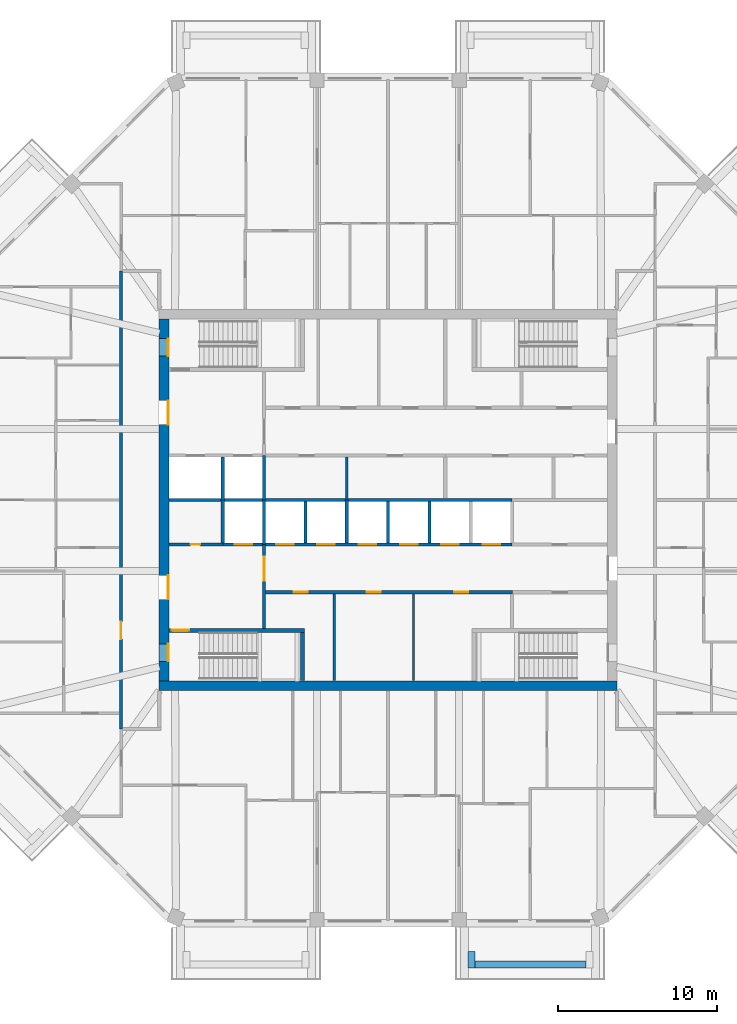
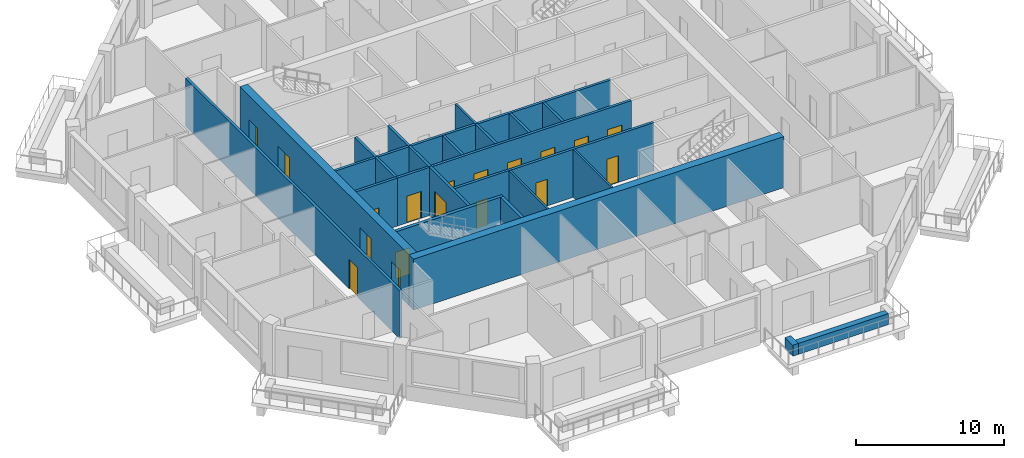
# One storey, part 4 of 12: 23 walls, 18 doors, 18 openings.
"""IFC4 building model written with IfcOpenShell, lengths in metres."""

from ifc_helpers import new_model, si_unit, direction, frame, frame_2d, origin, place, context, subcontext, project, spatial, rectangle, extrude, material, layer, layer_set, type_object, element, fill, save


model = new_model("IFC4")

# Units and contexts
model_context = context("Model", 3, precision=1e-05, world=origin(), true_north=direction((0.0, 1.0)))
body_context = subcontext(model_context, "Body", "Model", "MODEL_VIEW")
ifc_project = project(units=[si_unit("LENGTHUNIT", "METRE"), si_unit("AREAUNIT", "SQUARE_METRE"), si_unit("VOLUMEUNIT", "CUBIC_METRE"), si_unit("PLANEANGLEUNIT", "RADIAN"), si_unit("MASSUNIT", "GRAM", prefix="KILO")], contexts=[model_context])

# Site, building, storey
site_placement = place(None, origin())
site = spatial("IfcSite", under=ifc_project, at=site_placement, CompositionType="ELEMENT")
building_placement = place(site_placement, origin())
building = spatial("IfcBuilding", under=site, at=building_placement, Name="Msitu Wima Residences", CompositionType="ELEMENT")
storey_placement = place(building_placement, frame((0.0, 0.0, 251.699951171875)))
storey = spatial("IfcBuildingStorey", under=building, at=storey_placement, Name="L58", CompositionType="ELEMENT", Elevation=251.699951171875)

# Walls
ifc_material_1 = material(Name="Facing brick")
ifc_layer_1 = layer(ifc_material_1, 0.06494140625, Name="Facing brick")
ifc_material_2 = material(Name="Concrete C40/50", Category="concrete")
ifc_layer_2 = layer(ifc_material_2, 0.156005859375, Name="Concrete C40/50")
ifc_material_3 = material(Name="Waterproofing membrane")
ifc_layer_3 = layer(ifc_material_3, 0.00390625, Name="Waterproofing membrane")
ifc_material_4 = material(Name="Planting soil and planting")
ifc_layer_4 = layer(ifc_material_4, 0.22509765625, Name="Planting soil and planting")
ifc_layer_set_1 = layer_set([ifc_layer_1, ifc_layer_2, ifc_layer_3, ifc_layer_4], Name="Concrete C40/50")
wall_type_1 = type_object("IfcWallType", Name="Balcony planter PLANTER PL450", PredefinedType="USERDEFINED", material=ifc_layer_set_1)
wall_1_placement = place(storey_placement, frame((5.468505859375, -29.22509765625, 0.0), z_axis=(0.0, 0.0, 1.0), x_axis=(1.0, 0.0, 0.0)))
element("IfcWall", 1, at=wall_1_placement, inside=storey, type_object=wall_type_1, Name="Balcony planter S2 L58", ObjectType="PLANTER", PredefinedType="USERDEFINED", context=body_context, shape_type="SweptSolid", body=[
    extrude(rectangle(XDim=6.9873046875, YDim=0.449951171875, at=frame_2d((3.49365234375, 0.0))), origin(), (0.0, 0.0, 1.0), 0.900146484375),
])
wall_2_placement = place(storey_placement, frame((5.24365234375, -28.39990234375, 0.0), z_axis=(0.0, 0.0, 1.0), x_axis=(0.0, -1.0, 0.0)))
element("IfcWall", 2, at=wall_2_placement, inside=storey, type_object=wall_type_1, Name="Balcony planter S2 L58", ObjectType="PLANTER", PredefinedType="USERDEFINED", context=body_context, shape_type="SweptSolid", body=[
    extrude(rectangle(XDim=1.050048828125, YDim=0.449951171875, at=frame_2d((0.52490234375, 0.0))), origin(), (0.0, 0.0, 1.0), 0.900146484375),
])
ifc_material_5 = material(Name="Concrete C50/60", Category="concrete")
ifc_layer_5 = layer(ifc_material_5, 0.60009765625)
ifc_layer_set_2 = layer_set([ifc_layer_5], Name="Concrete C50/60")
wall_type_2 = type_object("IfcWallType", Name="Core wall CW600 C50/60", PredefinedType="SHEAR", material=ifc_layer_set_2)
wall_3_placement = place(storey_placement, frame((-14.39990234375, -11.699951171875, 0.0), z_axis=(0.0, 0.0, 1.0), x_axis=(1.0, 0.0, 0.0)))
element("IfcWall", 3, at=wall_3_placement, inside=storey, type_object=wall_type_2, Name="Core wall", PredefinedType="SHEAR", context=body_context, shape_type="SweptSolid", body=[
    extrude(rectangle(XDim=28.7998046875, YDim=0.60009765625, at=frame_2d((14.39990234375, 0.0))), origin(), (0.0, 0.0, 1.0), 4.199951171875),
])

# Wall, openings, doors
wall_4_placement = place(storey_placement, frame((-14.10009765625, -11.39990234375, 0.0), z_axis=(0.0, 0.0, 1.0), x_axis=(0.0, 1.0, 0.0)))
wall_4 = element("IfcWall", 4, at=wall_4_placement, inside=storey, type_object=wall_type_2, Name="Core wall", PredefinedType="SHEAR", context=body_context, shape_type="SweptSolid", body=[
    extrude(rectangle(XDim=22.7998046875, YDim=0.60009765625, at=frame_2d((11.39990234375, 0.0))), origin(), (0.0, 0.0, 1.0), 4.199951171875),
])
opening_1_placement = place(wall_4_placement, frame((20.449951171875, 0.0, 0.0)))
opening_1 = element("IfcOpeningElement", 5, at=opening_1_placement, cuts=wall_4, Name="Opening D57-59.084", PredefinedType="OPENING", context=body_context, shape_type="SweptSolid", body=[
    extrude(rectangle(XDim=1.10009765625, YDim=2.199951171875, at=frame_2d((0.550048828125, 1.10009765625))), frame((0.0, 0.31005859375, 0.0), z_axis=(0.0, -1.0, 0.0), x_axis=(1.0, 0.0, 0.0)), (0.0, 0.0, 1.0), 0.6201171875),
])
opening_2_placement = place(wall_4_placement, frame((1.25, 0.0, 0.0)))
opening_2 = element("IfcOpeningElement", 6, at=opening_2_placement, cuts=wall_4, Name="Opening D57-59.086", PredefinedType="OPENING", context=body_context, shape_type="SweptSolid", body=[
    extrude(rectangle(XDim=1.10009765625, YDim=2.199951171875, at=frame_2d((0.550048828125, 1.10009765625))), frame((0.0, 0.31005859375, 0.0), z_axis=(0.0, -1.0, 0.0), x_axis=(1.0, 0.0, 0.0)), (0.0, 0.0, 1.0), 0.6201171875),
])
opening_3_placement = place(wall_4_placement, frame((16.14990234375, 0.0, 0.0)))
opening_3 = element("IfcOpeningElement", 7, at=opening_3_placement, cuts=wall_4, Name="Opening D57-59.064", PredefinedType="OPENING", context=body_context, shape_type="SweptSolid", body=[
    extrude(rectangle(XDim=1.5, YDim=2.39990234375, at=frame_2d((0.75, 1.199951171875))), frame((0.0, 0.31005859375, 0.0), z_axis=(0.0, -1.0, 0.0), x_axis=(1.0, 0.0, 0.0)), (0.0, 0.0, 1.0), 0.6201171875),
])
opening_4_placement = place(wall_4_placement, frame((5.14990234375, 0.0, 0.0)))
opening_4 = element("IfcOpeningElement", 8, at=opening_4_placement, cuts=wall_4, Name="Opening D57-59.066", PredefinedType="OPENING", context=body_context, shape_type="SweptSolid", body=[
    extrude(rectangle(XDim=1.5, YDim=2.39990234375, at=frame_2d((0.75, 1.199951171875))), frame((0.0, 0.31005859375, 0.0), z_axis=(0.0, -1.0, 0.0), x_axis=(1.0, 0.0, 0.0)), (0.0, 0.0, 1.0), 0.6201171875),
])
ifc_material_6 = material(Name="Steel framed glazed door, fire resisting", Category="steel")
door_type_1 = type_object("IfcDoorType", Name="Lobby door D07 1500x2400", OperationType="DOUBLE_DOOR_SINGLE_SWING", PredefinedType="DOOR", material=ifc_material_6)
door_1_placement = place(opening_3_placement, origin())
door_1 = element("IfcDoor", 9, at=door_1_placement, inside=storey, type_object=door_type_1, Name="Lobby door", OperationType="DOUBLE_DOOR_SINGLE_SWING", OverallHeight=2.39990234375, OverallWidth=1.5, PredefinedType="DOOR", context=body_context, shape_type="SweptSolid", body=[
    extrude(rectangle(XDim=1.5, YDim=2.39990234375, at=frame_2d((0.75, 1.199951171875))), frame((0.0, -0.2451171875, 0.0), z_axis=(0.0, -1.0, 0.0), x_axis=(1.0, 0.0, 0.0)), (0.0, 0.0, 1.0), 0.050048828125),
])
fill(opening_3, door_1)
door_2_placement = place(opening_4_placement, origin())
door_2 = element("IfcDoor", 10, at=door_2_placement, inside=storey, type_object=door_type_1, Name="Lobby door", OperationType="DOUBLE_DOOR_SINGLE_SWING", OverallHeight=2.39990234375, OverallWidth=1.5, PredefinedType="DOOR", context=body_context, shape_type="SweptSolid", body=[
    extrude(rectangle(XDim=1.5, YDim=2.39990234375, at=frame_2d((0.75, 1.199951171875))), frame((0.0, -0.2451171875, 0.0), z_axis=(0.0, -1.0, 0.0), x_axis=(1.0, 0.0, 0.0)), (0.0, 0.0, 1.0), 0.050048828125),
])
fill(opening_4, door_2)
ifc_material_7 = material(Name="Steel door, fire resisting, panic bar", Category="steel")
door_type_2 = type_object("IfcDoorType", Name="Stair door D06 1100x2200", OperationType="SINGLE_SWING_LEFT", PredefinedType="DOOR", material=ifc_material_7)
door_3_placement = place(opening_1_placement, origin())
door_3 = element("IfcDoor", 11, at=door_3_placement, inside=storey, type_object=door_type_2, Name="Stair door", OperationType="SINGLE_SWING_RIGHT", OverallHeight=2.199951171875, OverallWidth=1.10009765625, PredefinedType="DOOR", context=body_context, shape_type="SweptSolid", body=[
    extrude(rectangle(XDim=1.10009765625, YDim=2.199951171875, at=frame_2d((0.550048828125, 1.10009765625))), frame((0.0, -0.2451171875, 0.0), z_axis=(0.0, -1.0, 0.0), x_axis=(1.0, 0.0, 0.0)), (0.0, 0.0, 1.0), 0.050048828125),
])
fill(opening_1, door_3)
door_4_placement = place(opening_2_placement, origin())
door_4 = element("IfcDoor", 12, at=door_4_placement, inside=storey, type_object=door_type_2, Name="Stair door", OperationType="SINGLE_SWING_LEFT", OverallHeight=2.199951171875, OverallWidth=1.10009765625, PredefinedType="DOOR", context=body_context, shape_type="SweptSolid", body=[
    extrude(rectangle(XDim=1.10009765625, YDim=2.199951171875, at=frame_2d((0.550048828125, 1.10009765625))), frame((0.0, -0.2451171875, 0.0), z_axis=(0.0, -1.0, 0.0), x_axis=(1.0, 0.0, 0.0)), (0.0, 0.0, 1.0), 0.050048828125),
])
fill(opening_2, door_4)

# Wall, opening, door
ifc_material_8 = material(Name="Plaster")
ifc_layer_6 = layer(ifc_material_8, 0.011962890625, Name="Plaster")
ifc_material_9 = material(Name="Concrete blockwork", Category="masonry")
ifc_layer_7 = layer(ifc_material_9, 0.176025390625, Name="Concrete blockwork")
ifc_layer_8 = layer(ifc_material_8, 0.011962890625, Name="Plaster")
ifc_layer_set_3 = layer_set([ifc_layer_6, ifc_layer_7, ifc_layer_8], Name="Concrete blockwork")
wall_type_3 = type_object("IfcWallType", Name="Corridor wall FW200", PredefinedType="PARTITIONING", material=ifc_layer_set_3)
wall_5_placement = place(storey_placement, frame((-16.800048828125, -14.39990234375, 0.0), z_axis=(0.0, 0.0, 1.0), x_axis=(0.0, 1.0, 0.0)))
wall_5 = element("IfcWall", 13, at=wall_5_placement, inside=storey, type_object=wall_type_3, Name="Corridor wall", PredefinedType="PARTITIONING", context=body_context, shape_type="SweptSolid", body=[
    extrude(rectangle(XDim=28.7998046875, YDim=0.199951171875, at=frame_2d((14.39990234375, 0.0))), origin(), (0.0, 0.0, 1.0), 3.949951171875),
])
opening_5_placement = place(wall_5_placement, frame((5.64990234375, 0.0, 0.0)))
opening_5 = element("IfcOpeningElement", 14, at=opening_5_placement, cuts=wall_5, Name="Opening D57-59.024", PredefinedType="OPENING", context=body_context, shape_type="SweptSolid", body=[
    extrude(rectangle(XDim=1.10009765625, YDim=2.39990234375, at=frame_2d((0.550048828125, 1.199951171875))), frame((0.0, 0.10986328125, 0.0), z_axis=(0.0, -1.0, 0.0), x_axis=(1.0, 0.0, 0.0)), (0.0, 0.0, 1.0), 0.219970703125),
])
ifc_material_10 = material(Name="Timber flush door, fire resisting, self-closing", Category="wood")
door_type_3 = type_object("IfcDoorType", Name="Flat entrance door D01 1100x2400", OperationType="SINGLE_SWING_LEFT", PredefinedType="DOOR", material=ifc_material_10)
door_5_placement = place(opening_5_placement, origin())
door_5 = element("IfcDoor", 15, at=door_5_placement, inside=storey, type_object=door_type_3, Name="Flat entrance door", OperationType="SINGLE_SWING_LEFT", OverallHeight=2.39990234375, OverallWidth=1.10009765625, PredefinedType="DOOR", context=body_context, shape_type="SweptSolid", body=[
    extrude(rectangle(XDim=1.10009765625, YDim=2.39990234375, at=frame_2d((0.550048828125, 1.199951171875))), frame((0.0, 0.02490234375, 0.0), z_axis=(0.0, -1.0, 0.0), x_axis=(1.0, 0.0, 0.0)), (0.0, 0.0, 1.0), 0.050048828125),
])
fill(opening_5, door_5)

wall_6_placement = place(storey_placement, frame((-7.800048828125, -8.074951171875, 0.0), z_axis=(0.0, 0.0, 1.0), x_axis=(0.0, 1.0, 0.0)))
wall_6 = element("IfcWall", 16, at=wall_6_placement, inside=storey, type_object=wall_type_3, Name="Corridor wall", PredefinedType="PARTITIONING", context=body_context, shape_type="SweptSolid", body=[
    extrude(rectangle(XDim=5.27490234375, YDim=0.199951171875, at=frame_2d((2.637451171875, 0.0))), origin(), (0.0, 0.0, 1.0), 3.949951171875),
])
opening_6_placement = place(wall_6_placement, frame((3.0, 0.0, 0.0)))
opening_6 = element("IfcOpeningElement", 17, at=opening_6_placement, cuts=wall_6, Name="Opening D57-59.067", PredefinedType="OPENING", context=body_context, shape_type="SweptSolid", body=[
    extrude(rectangle(XDim=1.5, YDim=2.39990234375, at=frame_2d((0.75, 1.199951171875))), frame((0.0, 0.10986328125, 0.0), z_axis=(0.0, -1.0, 0.0), x_axis=(1.0, 0.0, 0.0)), (0.0, 0.0, 1.0), 0.219970703125),
])
door_6_placement = place(opening_6_placement, origin())
door_6 = element("IfcDoor", 18, at=door_6_placement, inside=storey, type_object=door_type_1, Name="Lobby door", OperationType="DOUBLE_DOOR_SINGLE_SWING", OverallHeight=2.39990234375, OverallWidth=1.5, PredefinedType="DOOR", context=body_context, shape_type="SweptSolid", body=[
    extrude(rectangle(XDim=1.5, YDim=2.39990234375, at=frame_2d((0.75, 1.199951171875))), frame((0.0, 0.02490234375, 0.0), z_axis=(0.0, -1.0, 0.0), x_axis=(1.0, 0.0, 0.0)), (0.0, 0.0, 1.0), 0.050048828125),
])
fill(opening_6, door_6)

# Wall, openings, doors
wall_7_placement = place(storey_placement, frame((-7.699951171875, -5.800048828125, 0.0), z_axis=(0.0, 0.0, 1.0), x_axis=(1.0, 0.0, 0.0)))
wall_7 = element("IfcWall", 19, at=wall_7_placement, inside=storey, type_object=wall_type_3, Name="Corridor wall", PredefinedType="PARTITIONING", context=body_context, shape_type="SweptSolid", body=[
    extrude(rectangle(XDim=15.52001953125, YDim=0.199951171875, at=frame_2d((7.760009765625, 0.0))), origin(), (0.0, 0.0, 1.0), 3.949951171875),
])
opening_7_placement = place(wall_7_placement, frame((1.75, 0.0, 0.0)))
opening_7 = element("IfcOpeningElement", 20, at=opening_7_placement, cuts=wall_7, Name="Opening D57-59.073", PredefinedType="OPENING", context=body_context, shape_type="SweptSolid", body=[
    extrude(rectangle(XDim=0.89990234375, YDim=2.199951171875, at=frame_2d((0.449951171875, 1.10009765625))), frame((0.0, 0.10986328125, 0.0), z_axis=(0.0, -1.0, 0.0), x_axis=(1.0, 0.0, 0.0)), (0.0, 0.0, 1.0), 0.219970703125),
])
opening_8_placement = place(wall_7_placement, frame((6.35009765625, 0.0, 0.0)))
opening_8 = element("IfcOpeningElement", 21, at=opening_8_placement, cuts=wall_7, Name="Opening D57-59.074", PredefinedType="OPENING", context=body_context, shape_type="SweptSolid", body=[
    extrude(rectangle(XDim=0.89990234375, YDim=2.199951171875, at=frame_2d((0.449951171875, 1.10009765625))), frame((0.0, 0.10986328125, 0.0), z_axis=(0.0, -1.0, 0.0), x_axis=(1.0, 0.0, 0.0)), (0.0, 0.0, 1.0), 0.219970703125),
])
opening_9_placement = place(wall_7_placement, frame((11.85009765625, 0.0, 0.0)))
opening_9 = element("IfcOpeningElement", 22, at=opening_9_placement, cuts=wall_7, Name="Opening D57-59.075", PredefinedType="OPENING", context=body_context, shape_type="SweptSolid", body=[
    extrude(rectangle(XDim=0.89990234375, YDim=2.199951171875, at=frame_2d((0.449951171875, 1.10009765625))), frame((0.0, 0.10986328125, 0.0), z_axis=(0.0, -1.0, 0.0), x_axis=(1.0, 0.0, 0.0)), (0.0, 0.0, 1.0), 0.219970703125),
])
ifc_material_11 = material(Name="Timber flush door", Category="wood")
door_type_4 = type_object("IfcDoorType", Name="Service door D05 900x2200", OperationType="SINGLE_SWING_LEFT", PredefinedType="DOOR", material=ifc_material_11)
door_7_placement = place(opening_7_placement, origin())
door_7 = element("IfcDoor", 23, at=door_7_placement, inside=storey, type_object=door_type_4, Name="Service door", OperationType="SINGLE_SWING_LEFT", OverallHeight=2.199951171875, OverallWidth=0.89990234375, PredefinedType="DOOR", context=body_context, shape_type="SweptSolid", body=[
    extrude(rectangle(XDim=0.89990234375, YDim=2.199951171875, at=frame_2d((0.449951171875, 1.10009765625))), frame((0.0, 0.02490234375, 0.0), z_axis=(0.0, -1.0, 0.0), x_axis=(1.0, 0.0, 0.0)), (0.0, 0.0, 1.0), 0.050048828125),
])
fill(opening_7, door_7)
door_8_placement = place(opening_8_placement, origin())
door_8 = element("IfcDoor", 24, at=door_8_placement, inside=storey, type_object=door_type_4, Name="Service door", OperationType="SINGLE_SWING_RIGHT", OverallHeight=2.199951171875, OverallWidth=0.89990234375, PredefinedType="DOOR", context=body_context, shape_type="SweptSolid", body=[
    extrude(rectangle(XDim=0.89990234375, YDim=2.199951171875, at=frame_2d((0.449951171875, 1.10009765625))), frame((0.0, 0.02490234375, 0.0), z_axis=(0.0, -1.0, 0.0), x_axis=(1.0, 0.0, 0.0)), (0.0, 0.0, 1.0), 0.050048828125),
])
fill(opening_8, door_8)
door_9_placement = place(opening_9_placement, origin())
door_9 = element("IfcDoor", 25, at=door_9_placement, inside=storey, type_object=door_type_4, Name="Service door", OperationType="SINGLE_SWING_RIGHT", OverallHeight=2.199951171875, OverallWidth=0.89990234375, PredefinedType="DOOR", context=body_context, shape_type="SweptSolid", body=[
    extrude(rectangle(XDim=0.89990234375, YDim=2.199951171875, at=frame_2d((0.449951171875, 1.10009765625))), frame((0.0, 0.02490234375, 0.0), z_axis=(0.0, -1.0, 0.0), x_axis=(1.0, 0.0, 0.0)), (0.0, 0.0, 1.0), 0.050048828125),
])
fill(opening_9, door_9)

# Walls
ifc_layer_9 = layer(ifc_material_8, 0.011962890625, Name="Plaster")
ifc_layer_10 = layer(ifc_material_9, 0.1259765625, Name="Concrete blockwork")
ifc_layer_11 = layer(ifc_material_8, 0.011962890625, Name="Plaster")
ifc_layer_set_4 = layer_set([ifc_layer_9, ifc_layer_10, ifc_layer_11], Name="Concrete blockwork")
wall_type_4 = type_object("IfcWallType", Name="Partition PW150", PredefinedType="PARTITIONING", material=ifc_layer_set_4)
wall_8_placement = place(storey_placement, frame((-3.39990234375, -11.3701171875, 0.0), z_axis=(0.0, 0.0, 1.0), x_axis=(0.0, 1.0, 0.0)))
element("IfcWall", 26, at=wall_8_placement, inside=storey, type_object=wall_type_4, Name="Partition", PredefinedType="PARTITIONING", context=body_context, shape_type="SweptSolid", body=[
    extrude(rectangle(XDim=5.47021484375, YDim=0.14990234375, at=frame_2d((2.735107421875, 0.0))), origin(), (0.0, 0.0, 1.0), 3.949951171875),
])
wall_9_placement = place(storey_placement, frame((-2.60009765625, 0.0, 0.0), z_axis=(0.0, 0.0, 1.0), x_axis=(0.0, 1.0, 0.0)))
element("IfcWall", 27, at=wall_9_placement, inside=storey, type_object=wall_type_4, Name="Partition", PredefinedType="PARTITIONING", context=body_context, shape_type="SweptSolid", body=[
    extrude(rectangle(XDim=2.699951171875, YDim=0.14990234375, at=frame_2d((1.35009765625, 0.0))), origin(), (0.0, 0.0, 1.0), 3.949951171875),
])
wall_10_placement = place(storey_placement, frame((1.60009765625, -11.3701171875, 0.0), z_axis=(0.0, 0.0, 1.0), x_axis=(0.0, 1.0, 0.0)))
element("IfcWall", 28, at=wall_10_placement, inside=storey, type_object=wall_type_4, Name="Partition", PredefinedType="PARTITIONING", context=body_context, shape_type="SweptSolid", body=[
    extrude(rectangle(XDim=5.47021484375, YDim=0.14990234375, at=frame_2d((2.735107421875, 0.0))), origin(), (0.0, 0.0, 1.0), 3.949951171875),
])

# Wall, opening, door
ifc_layer_12 = layer(ifc_material_8, 0.011962890625, Name="Plaster")
ifc_material_12 = material(Name="Reinforced concrete blockwork", Category="masonry")
ifc_layer_13 = layer(ifc_material_12, 0.176025390625, Name="Reinforced concrete blockwork")
ifc_layer_14 = layer(ifc_material_8, 0.011962890625, Name="Plaster")
ifc_layer_set_5 = layer_set([ifc_layer_12, ifc_layer_13, ifc_layer_14], Name="Reinforced concrete blockwork")
wall_type_5 = type_object("IfcWallType", Name="Plant and riser wall PL200", PredefinedType="PARTITIONING", material=ifc_layer_set_5)
wall_11_placement = place(storey_placement, frame((-13.77001953125, -2.800048828125, 0.0), z_axis=(0.0, 0.0, 1.0), x_axis=(1.0, 0.0, 0.0)))
wall_11 = element("IfcWall", 29, at=wall_11_placement, inside=storey, type_object=wall_type_5, Name="Plant and riser wall", PredefinedType="PARTITIONING", context=body_context, shape_type="SweptSolid", body=[
    extrude(rectangle(XDim=3.3701171875, YDim=0.199951171875, at=frame_2d((1.68505859375, 0.0))), origin(), (0.0, 0.0, 1.0), 3.949951171875),
])
opening_10_placement = place(wall_11_placement, frame((1.35009765625, 0.0, 0.0)))
opening_10 = element("IfcOpeningElement", 30, at=opening_10_placement, cuts=wall_11, Name="Opening D57-59.083", PredefinedType="OPENING", context=body_context, shape_type="SweptSolid", body=[
    extrude(rectangle(XDim=0.60009765625, YDim=2.0, at=frame_2d((0.300048828125, 1.0))), frame((0.0, 0.10986328125, 0.0), z_axis=(0.0, -1.0, 0.0), x_axis=(1.0, 0.0, 0.0)), (0.0, 0.0, 1.0), 0.219970703125),
])
ifc_material_13 = material(Name="Steel access door, fire resisting", Category="steel")
door_type_5 = type_object("IfcDoorType", Name="Riser access door D08 600x2000", OperationType="SINGLE_SWING_LEFT", PredefinedType="DOOR", material=ifc_material_13)
door_10_placement = place(opening_10_placement, origin())
door_10 = element("IfcDoor", 31, at=door_10_placement, inside=storey, type_object=door_type_5, Name="Riser access door", OperationType="SINGLE_SWING_RIGHT", OverallHeight=2.0, OverallWidth=0.60009765625, PredefinedType="DOOR", context=body_context, shape_type="SweptSolid", body=[
    extrude(rectangle(XDim=0.60009765625, YDim=2.0, at=frame_2d((0.300048828125, 1.0))), frame((0.0, 0.02490234375, 0.0), z_axis=(0.0, -1.0, 0.0), x_axis=(1.0, 0.0, 0.0)), (0.0, 0.0, 1.0), 0.050048828125),
])
fill(opening_10, door_10)

# Walls
ifc_material_14 = material(Name="Fire-rated board")
ifc_layer_15 = layer(ifc_material_14, 0.02490234375, Name="Fire-rated board")
ifc_material_15 = material(Name="Light-gauge stud framing with mineral wool")
ifc_layer_16 = layer(ifc_material_15, 0.14990234375, Name="Light-gauge stud framing with mineral wool")
ifc_layer_17 = layer(ifc_material_14, 0.02490234375, Name="Fire-rated board")
ifc_layer_set_6 = layer_set([ifc_layer_15, ifc_layer_16, ifc_layer_17], Name="Light-gauge stud framing with mineral wool")
wall_type_6 = type_object("IfcWallType", Name="Shaft wall SH200", PredefinedType="PARTITIONING", material=ifc_layer_set_6)
wall_12_placement = place(storey_placement, frame((-13.77001953125, 0.0, 0.0), z_axis=(0.0, 0.0, 1.0), x_axis=(1.0, 0.0, 0.0)))
element("IfcWall", 32, at=wall_12_placement, inside=storey, type_object=wall_type_6, Name="Shaft wall", PredefinedType="PARTITIONING", context=body_context, shape_type="SweptSolid", body=[
    extrude(rectangle(XDim=21.570068359375, YDim=0.199951171875, at=frame_2d((10.78515625, 0.0))), origin(), (0.0, 0.0, 1.0), 3.949951171875),
])
wall_13_placement = place(storey_placement, frame((-10.39990234375, -2.699951171875, 0.0), z_axis=(0.0, 0.0, 1.0), x_axis=(0.0, 1.0, 0.0)))
element("IfcWall", 33, at=wall_13_placement, inside=storey, type_object=wall_type_6, Name="Shaft wall", PredefinedType="PARTITIONING", context=body_context, shape_type="SweptSolid", body=[
    extrude(rectangle(XDim=2.699951171875, YDim=0.199951171875, at=frame_2d((1.35009765625, 0.0))), origin(), (0.0, 0.0, 1.0), 3.949951171875),
])

# Wall, openings, doors
wall_14_placement = place(storey_placement, frame((-10.39990234375, -2.800048828125, 0.0), z_axis=(0.0, 0.0, 1.0), x_axis=(1.0, 0.0, 0.0)))
wall_14 = element("IfcWall", 34, at=wall_14_placement, inside=storey, type_object=wall_type_6, Name="Shaft wall", PredefinedType="PARTITIONING", context=body_context, shape_type="SweptSolid", body=[
    extrude(rectangle(XDim=18.199951171875, YDim=0.199951171875, at=frame_2d((9.10009765625, 0.0))), origin(), (0.0, 0.0, 1.0), 3.949951171875),
])
opening_11_placement = place(wall_14_placement, frame((0.75, 0.0, 0.0)))
opening_11 = element("IfcOpeningElement", 35, at=opening_11_placement, cuts=wall_14, Name="Opening LD", PredefinedType="OPENING", context=body_context, shape_type="SweptSolid", body=[
    extrude(rectangle(XDim=1.10009765625, YDim=2.199951171875, at=frame_2d((0.550048828125, 1.10009765625))), frame((0.0, 0.10986328125, 0.0), z_axis=(0.0, -1.0, 0.0), x_axis=(1.0, 0.0, 0.0)), (0.0, 0.0, 1.0), 0.219970703125),
])
opening_12_placement = place(wall_14_placement, frame((3.35009765625, 0.0, 0.0)))
opening_12 = element("IfcOpeningElement", 36, at=opening_12_placement, cuts=wall_14, Name="Opening LD", PredefinedType="OPENING", context=body_context, shape_type="SweptSolid", body=[
    extrude(rectangle(XDim=1.10009765625, YDim=2.199951171875, at=frame_2d((0.550048828125, 1.10009765625))), frame((0.0, 0.10986328125, 0.0), z_axis=(0.0, -1.0, 0.0), x_axis=(1.0, 0.0, 0.0)), (0.0, 0.0, 1.0), 0.219970703125),
])
opening_13_placement = place(wall_14_placement, frame((5.949951171875, 0.0, 0.0)))
opening_13 = element("IfcOpeningElement", 37, at=opening_13_placement, cuts=wall_14, Name="Opening LD", PredefinedType="OPENING", context=body_context, shape_type="SweptSolid", body=[
    extrude(rectangle(XDim=1.10009765625, YDim=2.199951171875, at=frame_2d((0.550048828125, 1.10009765625))), frame((0.0, 0.10986328125, 0.0), z_axis=(0.0, -1.0, 0.0), x_axis=(1.0, 0.0, 0.0)), (0.0, 0.0, 1.0), 0.219970703125),
])
opening_14_placement = place(wall_14_placement, frame((8.550048828125, 0.0, 0.0)))
opening_14 = element("IfcOpeningElement", 38, at=opening_14_placement, cuts=wall_14, Name="Opening LD", PredefinedType="OPENING", context=body_context, shape_type="SweptSolid", body=[
    extrude(rectangle(XDim=1.10009765625, YDim=2.199951171875, at=frame_2d((0.550048828125, 1.10009765625))), frame((0.0, 0.10986328125, 0.0), z_axis=(0.0, -1.0, 0.0), x_axis=(1.0, 0.0, 0.0)), (0.0, 0.0, 1.0), 0.219970703125),
])
opening_15_placement = place(wall_14_placement, frame((11.14990234375, 0.0, 0.0)))
opening_15 = element("IfcOpeningElement", 39, at=opening_15_placement, cuts=wall_14, Name="Opening LD", PredefinedType="OPENING", context=body_context, shape_type="SweptSolid", body=[
    extrude(rectangle(XDim=1.10009765625, YDim=2.199951171875, at=frame_2d((0.550048828125, 1.10009765625))), frame((0.0, 0.10986328125, 0.0), z_axis=(0.0, -1.0, 0.0), x_axis=(1.0, 0.0, 0.0)), (0.0, 0.0, 1.0), 0.219970703125),
])
opening_16_placement = place(wall_14_placement, frame((13.75, 0.0, 0.0)))
opening_16 = element("IfcOpeningElement", 40, at=opening_16_placement, cuts=wall_14, Name="Opening LD", PredefinedType="OPENING", context=body_context, shape_type="SweptSolid", body=[
    extrude(rectangle(XDim=1.10009765625, YDim=2.199951171875, at=frame_2d((0.550048828125, 1.10009765625))), frame((0.0, 0.10986328125, 0.0), z_axis=(0.0, -1.0, 0.0), x_axis=(1.0, 0.0, 0.0)), (0.0, 0.0, 1.0), 0.219970703125),
])
opening_17_placement = place(wall_14_placement, frame((16.35009765625, 0.0, 0.0)))
opening_17 = element("IfcOpeningElement", 41, at=opening_17_placement, cuts=wall_14, Name="Opening LD", PredefinedType="OPENING", context=body_context, shape_type="SweptSolid", body=[
    extrude(rectangle(XDim=1.10009765625, YDim=2.199951171875, at=frame_2d((0.550048828125, 1.10009765625))), frame((0.0, 0.10986328125, 0.0), z_axis=(0.0, -1.0, 0.0), x_axis=(1.0, 0.0, 0.0)), (0.0, 0.0, 1.0), 0.219970703125),
])
ifc_material_16 = material(Name="Stainless steel centre-opening landing door, rated", Category="steel")
door_type_6 = type_object("IfcDoorType", Name="Lift landing door LD 1100x2200", OperationType="DOUBLE_DOOR_SLIDING", PredefinedType="DOOR", material=ifc_material_16)
door_11_placement = place(opening_11_placement, origin())
door_11 = element("IfcDoor", 42, at=door_11_placement, inside=storey, type_object=door_type_6, Name="Lift landing door LD3", OperationType="DOUBLE_DOOR_SLIDING", OverallHeight=2.199951171875, OverallWidth=1.10009765625, PredefinedType="DOOR", context=body_context, shape_type="SweptSolid", body=[
    extrude(rectangle(XDim=1.10009765625, YDim=2.199951171875, at=frame_2d((0.550048828125, 1.10009765625))), frame((0.0, 0.02490234375, 0.0), z_axis=(0.0, -1.0, 0.0), x_axis=(1.0, 0.0, 0.0)), (0.0, 0.0, 1.0), 0.050048828125),
])
fill(opening_11, door_11)
door_12_placement = place(opening_12_placement, origin())
door_12 = element("IfcDoor", 43, at=door_12_placement, inside=storey, type_object=door_type_6, Name="Lift landing door LD5", OperationType="DOUBLE_DOOR_SLIDING", OverallHeight=2.199951171875, OverallWidth=1.10009765625, PredefinedType="DOOR", context=body_context, shape_type="SweptSolid", body=[
    extrude(rectangle(XDim=1.10009765625, YDim=2.199951171875, at=frame_2d((0.550048828125, 1.10009765625))), frame((0.0, 0.02490234375, 0.0), z_axis=(0.0, -1.0, 0.0), x_axis=(1.0, 0.0, 0.0)), (0.0, 0.0, 1.0), 0.050048828125),
])
fill(opening_12, door_12)
door_13_placement = place(opening_13_placement, origin())
door_13 = element("IfcDoor", 44, at=door_13_placement, inside=storey, type_object=door_type_6, Name="Lift landing door LD7", OperationType="DOUBLE_DOOR_SLIDING", OverallHeight=2.199951171875, OverallWidth=1.10009765625, PredefinedType="DOOR", context=body_context, shape_type="SweptSolid", body=[
    extrude(rectangle(XDim=1.10009765625, YDim=2.199951171875, at=frame_2d((0.550048828125, 1.10009765625))), frame((0.0, 0.02490234375, 0.0), z_axis=(0.0, -1.0, 0.0), x_axis=(1.0, 0.0, 0.0)), (0.0, 0.0, 1.0), 0.050048828125),
])
fill(opening_13, door_13)
door_14_placement = place(opening_14_placement, origin())
door_14 = element("IfcDoor", 45, at=door_14_placement, inside=storey, type_object=door_type_6, Name="Lift landing door LD9", OperationType="DOUBLE_DOOR_SLIDING", OverallHeight=2.199951171875, OverallWidth=1.10009765625, PredefinedType="DOOR", context=body_context, shape_type="SweptSolid", body=[
    extrude(rectangle(XDim=1.10009765625, YDim=2.199951171875, at=frame_2d((0.550048828125, 1.10009765625))), frame((0.0, 0.02490234375, 0.0), z_axis=(0.0, -1.0, 0.0), x_axis=(1.0, 0.0, 0.0)), (0.0, 0.0, 1.0), 0.050048828125),
])
fill(opening_14, door_14)
door_15_placement = place(opening_15_placement, origin())
door_15 = element("IfcDoor", 46, at=door_15_placement, inside=storey, type_object=door_type_6, Name="Lift landing door LD11", OperationType="DOUBLE_DOOR_SLIDING", OverallHeight=2.199951171875, OverallWidth=1.10009765625, PredefinedType="DOOR", context=body_context, shape_type="SweptSolid", body=[
    extrude(rectangle(XDim=1.10009765625, YDim=2.199951171875, at=frame_2d((0.550048828125, 1.10009765625))), frame((0.0, 0.02490234375, 0.0), z_axis=(0.0, -1.0, 0.0), x_axis=(1.0, 0.0, 0.0)), (0.0, 0.0, 1.0), 0.050048828125),
])
fill(opening_15, door_15)
door_16_placement = place(opening_16_placement, origin())
door_16 = element("IfcDoor", 47, at=door_16_placement, inside=storey, type_object=door_type_6, Name="Lift landing door LD13", OperationType="DOUBLE_DOOR_SLIDING", OverallHeight=2.199951171875, OverallWidth=1.10009765625, PredefinedType="DOOR", context=body_context, shape_type="SweptSolid", body=[
    extrude(rectangle(XDim=1.10009765625, YDim=2.199951171875, at=frame_2d((0.550048828125, 1.10009765625))), frame((0.0, 0.02490234375, 0.0), z_axis=(0.0, -1.0, 0.0), x_axis=(1.0, 0.0, 0.0)), (0.0, 0.0, 1.0), 0.050048828125),
])
fill(opening_16, door_16)
door_17_placement = place(opening_17_placement, origin())
door_17 = element("IfcDoor", 48, at=door_17_placement, inside=storey, type_object=door_type_6, Name="Lift landing door LD15", OperationType="DOUBLE_DOOR_SLIDING", OverallHeight=2.199951171875, OverallWidth=1.10009765625, PredefinedType="DOOR", context=body_context, shape_type="SweptSolid", body=[
    extrude(rectangle(XDim=1.10009765625, YDim=2.199951171875, at=frame_2d((0.550048828125, 1.10009765625))), frame((0.0, 0.02490234375, 0.0), z_axis=(0.0, -1.0, 0.0), x_axis=(1.0, 0.0, 0.0)), (0.0, 0.0, 1.0), 0.050048828125),
])
fill(opening_17, door_17)

# Walls
wall_15_placement = place(storey_placement, frame((-10.39990234375, 0.0, 0.0), z_axis=(0.0, 0.0, 1.0), x_axis=(0.0, 1.0, 0.0)))
element("IfcWall", 49, at=wall_15_placement, inside=storey, type_object=wall_type_6, Name="Shaft wall", PredefinedType="PARTITIONING", context=body_context, shape_type="SweptSolid", body=[
    extrude(rectangle(XDim=2.699951171875, YDim=0.199951171875, at=frame_2d((1.35009765625, 0.0))), origin(), (0.0, 0.0, 1.0), 3.949951171875),
])
for number, where, z_axis, x_axis, name in (
    (50, (-7.800048828125, -2.800048828125, 0.0), (0.0, 0.0, 1.0), (0.0, 1.0, 0.0), "Shaft wall"),
    (51, (-7.800048828125, 0.0, 0.0), (0.0, 0.0, 1.0), (0.0, 1.0, 0.0), "Shaft wall"),
):
    element("IfcWall", number, at=place(storey_placement, frame(where, z_axis=z_axis, x_axis=x_axis)), inside=storey, type_object=wall_type_6, Name=name, PredefinedType="PARTITIONING", context=body_context, shape_type="SweptSolid", body=[
        extrude(rectangle(XDim=2.800048828125, YDim=0.199951171875, at=frame_2d((1.39990234375, 0.0))), origin(), (0.0, 0.0, 1.0), 3.949951171875),
    ])
wall_16_placement = place(storey_placement, frame((-5.199951171875, -2.699951171875, 0.0), z_axis=(0.0, 0.0, 1.0), x_axis=(0.0, 1.0, 0.0)))
element("IfcWall", 52, at=wall_16_placement, inside=storey, type_object=wall_type_6, Name="Shaft wall", PredefinedType="PARTITIONING", context=body_context, shape_type="SweptSolid", body=[
    extrude(rectangle(XDim=2.599853515625, YDim=0.199951171875, at=frame_2d((1.2998046875, 0.0))), origin(), (0.0, 0.0, 1.0), 3.949951171875),
])
wall_17_placement = place(storey_placement, frame((-2.60009765625, -2.699951171875, 0.0), z_axis=(0.0, 0.0, 1.0), x_axis=(0.0, 1.0, 0.0)))
element("IfcWall", 53, at=wall_17_placement, inside=storey, type_object=wall_type_6, Name="Shaft wall", PredefinedType="PARTITIONING", context=body_context, shape_type="SweptSolid", body=[
    extrude(rectangle(XDim=2.699951171875, YDim=0.199951171875, at=frame_2d((1.35009765625, 0.0))), origin(), (0.0, 0.0, 1.0), 3.949951171875),
])
for number, where, z_axis, x_axis, name in (
    (54, (0.0, -2.699951171875, 0.0), (0.0, 0.0, 1.0), (0.0, 1.0, 0.0), "Shaft wall"),
    (55, (2.60009765625, -2.699951171875, 0.0), (0.0, 0.0, 1.0), (0.0, 1.0, 0.0), "Shaft wall"),
):
    element("IfcWall", number, at=place(storey_placement, frame(where, z_axis=z_axis, x_axis=x_axis)), inside=storey, type_object=wall_type_6, Name=name, PredefinedType="PARTITIONING", context=body_context, shape_type="SweptSolid", body=[
        extrude(rectangle(XDim=2.599853515625, YDim=0.199951171875, at=frame_2d((1.2998046875, 0.0))), origin(), (0.0, 0.0, 1.0), 3.949951171875),
    ])

# Wall, opening, door
ifc_layer_18 = layer(ifc_material_5, 0.25)
ifc_layer_set_7 = layer_set([ifc_layer_18], Name="Concrete C50/60")
wall_type_7 = type_object("IfcWallType", Name="Stair enclosure wall SW250", PredefinedType="SHEAR", material=ifc_layer_set_7)
wall_18_placement = place(storey_placement, frame((-13.77001953125, -8.199951171875, 0.0), z_axis=(0.0, 0.0, 1.0), x_axis=(1.0, 0.0, 0.0)))
wall_18 = element("IfcWall", 56, at=wall_18_placement, inside=storey, type_object=wall_type_7, Name="Stair enclosure wall", PredefinedType="SHEAR", context=body_context, shape_type="SweptSolid", body=[
    extrude(rectangle(XDim=8.4951171875, YDim=0.25, at=frame_2d((4.24755859375, 0.0))), origin(), (0.0, 0.0, 1.0), 3.949951171875),
])
opening_18_placement = place(wall_18_placement, frame((0.14990234375, 0.0, 0.0)))
opening_18 = element("IfcOpeningElement", 57, at=opening_18_placement, cuts=wall_18, Name="Opening D57-59.087", PredefinedType="OPENING", context=body_context, shape_type="SweptSolid", body=[
    extrude(rectangle(XDim=1.10009765625, YDim=2.199951171875, at=frame_2d((0.550048828125, 1.10009765625))), frame((0.0, 0.135009765625, 0.0), z_axis=(0.0, -1.0, 0.0), x_axis=(1.0, 0.0, 0.0)), (0.0, 0.0, 1.0), 0.27001953125),
])
door_18_placement = place(opening_18_placement, origin())
door_18 = element("IfcDoor", 58, at=door_18_placement, inside=storey, type_object=door_type_2, Name="Stair door", OperationType="SINGLE_SWING_RIGHT", OverallHeight=2.199951171875, OverallWidth=1.10009765625, PredefinedType="DOOR", context=body_context, shape_type="SweptSolid", body=[
    extrude(rectangle(XDim=1.10009765625, YDim=2.199951171875, at=frame_2d((0.550048828125, 1.10009765625))), frame((0.0, 0.02490234375, 0.0), z_axis=(0.0, -1.0, 0.0), x_axis=(1.0, 0.0, 0.0)), (0.0, 0.0, 1.0), 0.050048828125),
])
fill(opening_18, door_18)

# Wall
wall_19_placement = place(storey_placement, frame((-5.39990234375, -11.3701171875, 0.0), z_axis=(0.0, 0.0, 1.0), x_axis=(0.0, 1.0, 0.0)))
element("IfcWall", 59, at=wall_19_placement, inside=storey, type_object=wall_type_7, Name="Stair enclosure wall", PredefinedType="SHEAR", context=body_context, shape_type="SweptSolid", body=[
    extrude(rectangle(XDim=3.045166015625, YDim=0.25, at=frame_2d((1.5224609375, 0.0))), origin(), (0.0, 0.0, 1.0), 3.949951171875),
])

save(model, "model.ifc")
